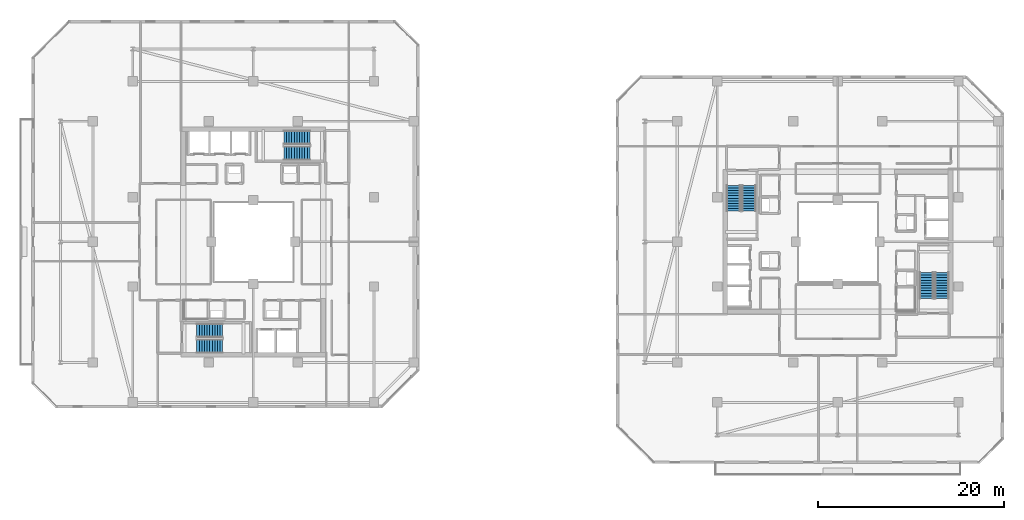
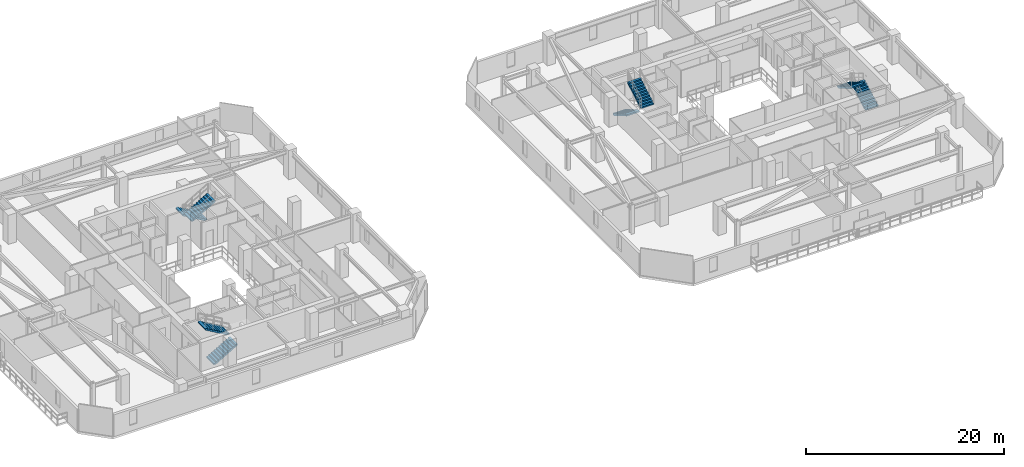
# One storey, part 27 of 33: 8 stair flights, 4 elements without a shape of their own.
"""IFC4 building model written with IfcOpenShell, lengths in metres."""

from ifc_helpers import new_model, si_unit, direction, frame, origin, place, context, subcontext, project, spatial, polyline, outline, extrude, material, type_object, element, aggregate, save


model = new_model("IFC4")

# Units and contexts
model_context = context("Model", 3, precision=1e-05, world=origin(), true_north=direction((0.0, 1.0)))
body_context = subcontext(model_context, "Body", "Model", "MODEL_VIEW")
ifc_project = project(units=[si_unit("LENGTHUNIT", "METRE"), si_unit("AREAUNIT", "SQUARE_METRE"), si_unit("VOLUMEUNIT", "CUBIC_METRE"), si_unit("PLANEANGLEUNIT", "RADIAN"), si_unit("MASSUNIT", "GRAM", prefix="KILO")], contexts=[model_context])

# Site, building, storey
site_placement = place(None, origin())
site = spatial("IfcSite", under=ifc_project, at=site_placement, CompositionType="ELEMENT")
building_placement = place(site_placement, origin())
building = spatial("IfcBuilding", under=site, at=building_placement, Name="Thornwick Lancets Civic Towers", CompositionType="ELEMENT")
storey_placement = place(building_placement, frame((0.0, 0.0, 203.699951171875)))
storey = spatial("IfcBuildingStorey", under=building, at=storey_placement, Name="L54", CompositionType="ELEMENT", Elevation=203.699951171875)

# Stair, stair flights
ifc_material = material(Name="Concrete C40/50", Category="concrete")
stair_type = type_object("IfcStairType", Name="STAIR_DL_3600", PredefinedType="HALF_TURN_STAIR", material=ifc_material)
stair_1_placement = place(storey_placement, origin())
stair_1 = element("IfcStair", 1, at=stair_1_placement, inside=storey, type_object=stair_type, Name="L54 Tower A South Exit Stair ST-A1", PredefinedType="HALF_TURN_STAIR")
stair_flight_type = type_object("IfcStairFlightType", Name="FLIGHT_3600", PredefinedType="STRAIGHT", material=ifc_material)
stair_flight_1_placement = place(storey_placement, frame((19.39990234375, 15.75, 0.0), z_axis=(0.0, 0.0, 1.0), x_axis=(1.0, 0.0, 0.0)))
stair_flight_1 = element("IfcStairFlight", 2, at=stair_flight_1_placement, type_object=stair_flight_type, Name="ST-A1 flight 1", NumberOfRisers=11, NumberOfTreads=10, PredefinedType="STRAIGHT", RiserHeight=0.163636364, TreadLength=0.28, context=body_context, shape_type="SweptSolid", body=[
    extrude(outline(polyline([(0.0, 0.0), (0.0, 0.16357421875), (0.280029296875, 0.16357421875), (0.280029296875, 0.327392578125), (0.56005859375, 0.327392578125), (0.56005859375, 0.490966796875), (0.840087890625, 0.490966796875), (0.840087890625, 0.654541015625), (1.1201171875, 0.654541015625), (1.1201171875, 0.818115234375), (1.39990234375, 0.818115234375), (1.39990234375, 0.98193359375), (1.679931640625, 0.98193359375), (1.679931640625, 1.1455078125), (1.9599609375, 1.1455078125), (1.9599609375, 1.30908203125), (2.239990234375, 1.30908203125), (2.239990234375, 1.47265625), (2.52001953125, 1.47265625), (2.52001953125, 1.636474609375), (2.800048828125, 1.636474609375), (2.800048828125, 1.800048828125), (2.800048828125, 1.462646484375), (0.297119140625, 0.0), (0.0, 0.0)])), frame((0.0, 0.75, 0.0), z_axis=(0.0, -1.0, 0.0), x_axis=(1.0, 0.0, 0.0)), (0.0, 0.0, 1.0), 1.5),
])
stair_flight_2_placement = place(storey_placement, frame((22.199951171875, 17.449951171875, 1.800048828125), z_axis=(0.0, 0.0, 1.0), x_axis=(-1.0, 0.0, 0.0)))
stair_flight_2 = element("IfcStairFlight", 3, at=stair_flight_2_placement, type_object=stair_flight_type, Name="ST-A1 flight 2", NumberOfRisers=11, NumberOfTreads=10, PredefinedType="STRAIGHT", RiserHeight=0.163636364, TreadLength=0.28, context=body_context, shape_type="SweptSolid", body=[
    extrude(outline(polyline([(0.0, 0.0), (0.0, 0.16357421875), (0.280029296875, 0.16357421875), (0.280029296875, 0.327392578125), (0.56005859375, 0.327392578125), (0.56005859375, 0.490966796875), (0.840087890625, 0.490966796875), (0.840087890625, 0.654541015625), (1.1201171875, 0.654541015625), (1.1201171875, 0.818115234375), (1.39990234375, 0.818115234375), (1.39990234375, 0.98193359375), (1.679931640625, 0.98193359375), (1.679931640625, 1.1455078125), (1.9599609375, 1.1455078125), (1.9599609375, 1.30908203125), (2.239990234375, 1.30908203125), (2.239990234375, 1.47265625), (2.52001953125, 1.47265625), (2.52001953125, 1.636474609375), (2.800048828125, 1.636474609375), (2.800048828125, 1.800048828125), (2.800048828125, 1.462646484375), (0.297119140625, 0.0), (0.0, 0.0)])), frame((0.0, 0.75, 0.0), z_axis=(0.0, -1.0, 0.0), x_axis=(1.0, 0.0, 0.0)), (0.0, 0.0, 1.0), 1.5),
])
aggregate(stair_1, [stair_flight_1, stair_flight_2])

stair_2_placement = place(storey_placement, origin())
stair_2 = element("IfcStair", 4, at=stair_2_placement, inside=storey, type_object=stair_type, Name="L54 Tower A North Exit Stair ST-A2", PredefinedType="HALF_TURN_STAIR")
stair_flight_3_placement = place(storey_placement, frame((31.60009765625, 38.25, 0.0), z_axis=(0.0, 0.0, 1.0), x_axis=(-1.0, 0.0, 0.0)))
stair_flight_3 = element("IfcStairFlight", 5, at=stair_flight_3_placement, type_object=stair_flight_type, Name="ST-A2 flight 1", NumberOfRisers=11, NumberOfTreads=10, PredefinedType="STRAIGHT", RiserHeight=0.163636364, TreadLength=0.28, context=body_context, shape_type="SweptSolid", body=[
    extrude(outline(polyline([(0.0, 0.0), (0.0, 0.16357421875), (0.280029296875, 0.16357421875), (0.280029296875, 0.327392578125), (0.56005859375, 0.327392578125), (0.56005859375, 0.490966796875), (0.840087890625, 0.490966796875), (0.840087890625, 0.654541015625), (1.1201171875, 0.654541015625), (1.1201171875, 0.818115234375), (1.39990234375, 0.818115234375), (1.39990234375, 0.98193359375), (1.679931640625, 0.98193359375), (1.679931640625, 1.1455078125), (1.9599609375, 1.1455078125), (1.9599609375, 1.30908203125), (2.239990234375, 1.30908203125), (2.239990234375, 1.47265625), (2.52001953125, 1.47265625), (2.52001953125, 1.636474609375), (2.800048828125, 1.636474609375), (2.800048828125, 1.800048828125), (2.800048828125, 1.462646484375), (0.297119140625, 0.0), (0.0, 0.0)])), frame((0.0, 0.75, 0.0), z_axis=(0.0, -1.0, 0.0), x_axis=(1.0, 0.0, 0.0)), (0.0, 0.0, 1.0), 1.5),
])
stair_flight_4_placement = place(storey_placement, frame((28.800048828125, 36.550048828125, 1.800048828125), z_axis=(0.0, 0.0, 1.0), x_axis=(1.0, 0.0, 0.0)))
stair_flight_4 = element("IfcStairFlight", 6, at=stair_flight_4_placement, type_object=stair_flight_type, Name="ST-A2 flight 2", NumberOfRisers=11, NumberOfTreads=10, PredefinedType="STRAIGHT", RiserHeight=0.163636364, TreadLength=0.28, context=body_context, shape_type="SweptSolid", body=[
    extrude(outline(polyline([(0.0, 0.0), (0.0, 0.16357421875), (0.280029296875, 0.16357421875), (0.280029296875, 0.327392578125), (0.56005859375, 0.327392578125), (0.56005859375, 0.490966796875), (0.840087890625, 0.490966796875), (0.840087890625, 0.654541015625), (1.1201171875, 0.654541015625), (1.1201171875, 0.818115234375), (1.39990234375, 0.818115234375), (1.39990234375, 0.98193359375), (1.679931640625, 0.98193359375), (1.679931640625, 1.1455078125), (1.9599609375, 1.1455078125), (1.9599609375, 1.30908203125), (2.239990234375, 1.30908203125), (2.239990234375, 1.47265625), (2.52001953125, 1.47265625), (2.52001953125, 1.636474609375), (2.800048828125, 1.636474609375), (2.800048828125, 1.800048828125), (2.800048828125, 1.462646484375), (0.297119140625, 0.0), (0.0, 0.0)])), frame((0.0, 0.75, 0.0), z_axis=(0.0, -1.0, 0.0), x_axis=(1.0, 0.0, 0.0)), (0.0, 0.0, 1.0), 1.5),
])
aggregate(stair_2, [stair_flight_3, stair_flight_4])

stair_3_placement = place(storey_placement, origin())
stair_3 = element("IfcStair", 7, at=stair_3_placement, inside=storey, type_object=stair_type, Name="L54 Tower B East Exit Stair ST-B1", PredefinedType="HALF_TURN_STAIR")
stair_flight_5_placement = place(storey_placement, frame((99.75, 20.89990234375, 0.0), z_axis=(0.0, 0.0, 1.0), x_axis=(0.0, 1.0, 0.0)))
stair_flight_5 = element("IfcStairFlight", 8, at=stair_flight_5_placement, type_object=stair_flight_type, Name="ST-B1 flight 1", NumberOfRisers=11, NumberOfTreads=10, PredefinedType="STRAIGHT", RiserHeight=0.163636364, TreadLength=0.28, context=body_context, shape_type="SweptSolid", body=[
    extrude(outline(polyline([(0.0, 0.0), (0.0, 0.16357421875), (0.280029296875, 0.16357421875), (0.280029296875, 0.327392578125), (0.56005859375, 0.327392578125), (0.56005859375, 0.490966796875), (0.840087890625, 0.490966796875), (0.840087890625, 0.654541015625), (1.1201171875, 0.654541015625), (1.1201171875, 0.818115234375), (1.39990234375, 0.818115234375), (1.39990234375, 0.98193359375), (1.679931640625, 0.98193359375), (1.679931640625, 1.1455078125), (1.9599609375, 1.1455078125), (1.9599609375, 1.30908203125), (2.239990234375, 1.30908203125), (2.239990234375, 1.47265625), (2.52001953125, 1.47265625), (2.52001953125, 1.636474609375), (2.800048828125, 1.636474609375), (2.800048828125, 1.800048828125), (2.800048828125, 1.462646484375), (0.297119140625, 0.0), (0.0, 0.0)])), frame((0.0, 0.75, 0.0), z_axis=(0.0, -1.0, 0.0), x_axis=(1.0, 0.0, 0.0)), (0.0, 0.0, 1.0), 1.5),
])
stair_flight_6_placement = place(storey_placement, frame((98.050048828125, 23.699951171875, 1.800048828125), z_axis=(0.0, 0.0, 1.0), x_axis=(0.0, -1.0, 0.0)))
stair_flight_6 = element("IfcStairFlight", 9, at=stair_flight_6_placement, type_object=stair_flight_type, Name="ST-B1 flight 2", NumberOfRisers=11, NumberOfTreads=10, PredefinedType="STRAIGHT", RiserHeight=0.163636364, TreadLength=0.28, context=body_context, shape_type="SweptSolid", body=[
    extrude(outline(polyline([(0.0, 0.0), (0.0, 0.16357421875), (0.280029296875, 0.16357421875), (0.280029296875, 0.327392578125), (0.56005859375, 0.327392578125), (0.56005859375, 0.490966796875), (0.840087890625, 0.490966796875), (0.840087890625, 0.654541015625), (1.1201171875, 0.654541015625), (1.1201171875, 0.818115234375), (1.39990234375, 0.818115234375), (1.39990234375, 0.98193359375), (1.679931640625, 0.98193359375), (1.679931640625, 1.1455078125), (1.9599609375, 1.1455078125), (1.9599609375, 1.30908203125), (2.239990234375, 1.30908203125), (2.239990234375, 1.47265625), (2.52001953125, 1.47265625), (2.52001953125, 1.636474609375), (2.800048828125, 1.636474609375), (2.800048828125, 1.800048828125), (2.800048828125, 1.462646484375), (0.297119140625, 0.0), (0.0, 0.0)])), frame((0.0, 0.75, 0.0), z_axis=(0.0, -1.0, 0.0), x_axis=(1.0, 0.0, 0.0)), (0.0, 0.0, 1.0), 1.5),
])
aggregate(stair_3, [stair_flight_5, stair_flight_6])

stair_4_placement = place(storey_placement, origin())
stair_4 = element("IfcStair", 10, at=stair_4_placement, inside=storey, type_object=stair_type, Name="L54 Tower B West Exit Stair ST-B2", PredefinedType="HALF_TURN_STAIR")
stair_flight_7_placement = place(storey_placement, frame((77.25, 33.10009765625, 0.0), z_axis=(0.0, 0.0, 1.0), x_axis=(0.0, -1.0, 0.0)))
stair_flight_7 = element("IfcStairFlight", 11, at=stair_flight_7_placement, type_object=stair_flight_type, Name="ST-B2 flight 1", NumberOfRisers=11, NumberOfTreads=10, PredefinedType="STRAIGHT", RiserHeight=0.163636364, TreadLength=0.28, context=body_context, shape_type="SweptSolid", body=[
    extrude(outline(polyline([(0.0, 0.0), (0.0, 0.16357421875), (0.280029296875, 0.16357421875), (0.280029296875, 0.327392578125), (0.56005859375, 0.327392578125), (0.56005859375, 0.490966796875), (0.840087890625, 0.490966796875), (0.840087890625, 0.654541015625), (1.1201171875, 0.654541015625), (1.1201171875, 0.818115234375), (1.39990234375, 0.818115234375), (1.39990234375, 0.98193359375), (1.679931640625, 0.98193359375), (1.679931640625, 1.1455078125), (1.9599609375, 1.1455078125), (1.9599609375, 1.30908203125), (2.239990234375, 1.30908203125), (2.239990234375, 1.47265625), (2.52001953125, 1.47265625), (2.52001953125, 1.636474609375), (2.800048828125, 1.636474609375), (2.800048828125, 1.800048828125), (2.800048828125, 1.462646484375), (0.297119140625, 0.0), (0.0, 0.0)])), frame((0.0, 0.75, 0.0), z_axis=(0.0, -1.0, 0.0), x_axis=(1.0, 0.0, 0.0)), (0.0, 0.0, 1.0), 1.5),
])
stair_flight_8_placement = place(storey_placement, frame((78.949951171875, 30.300048828125, 1.800048828125), z_axis=(0.0, 0.0, 1.0), x_axis=(0.0, 1.0, 0.0)))
stair_flight_8 = element("IfcStairFlight", 12, at=stair_flight_8_placement, type_object=stair_flight_type, Name="ST-B2 flight 2", NumberOfRisers=11, NumberOfTreads=10, PredefinedType="STRAIGHT", RiserHeight=0.163636364, TreadLength=0.28, context=body_context, shape_type="SweptSolid", body=[
    extrude(outline(polyline([(0.0, 0.0), (0.0, 0.16357421875), (0.280029296875, 0.16357421875), (0.280029296875, 0.327392578125), (0.56005859375, 0.327392578125), (0.56005859375, 0.490966796875), (0.840087890625, 0.490966796875), (0.840087890625, 0.654541015625), (1.1201171875, 0.654541015625), (1.1201171875, 0.818115234375), (1.39990234375, 0.818115234375), (1.39990234375, 0.98193359375), (1.679931640625, 0.98193359375), (1.679931640625, 1.1455078125), (1.9599609375, 1.1455078125), (1.9599609375, 1.30908203125), (2.239990234375, 1.30908203125), (2.239990234375, 1.47265625), (2.52001953125, 1.47265625), (2.52001953125, 1.636474609375), (2.800048828125, 1.636474609375), (2.800048828125, 1.800048828125), (2.800048828125, 1.462646484375), (0.297119140625, 0.0), (0.0, 0.0)])), frame((0.0, 0.75, 0.0), z_axis=(0.0, -1.0, 0.0), x_axis=(1.0, 0.0, 0.0)), (0.0, 0.0, 1.0), 1.5),
])
aggregate(stair_4, [stair_flight_7, stair_flight_8])

save(model, "model.ifc")
